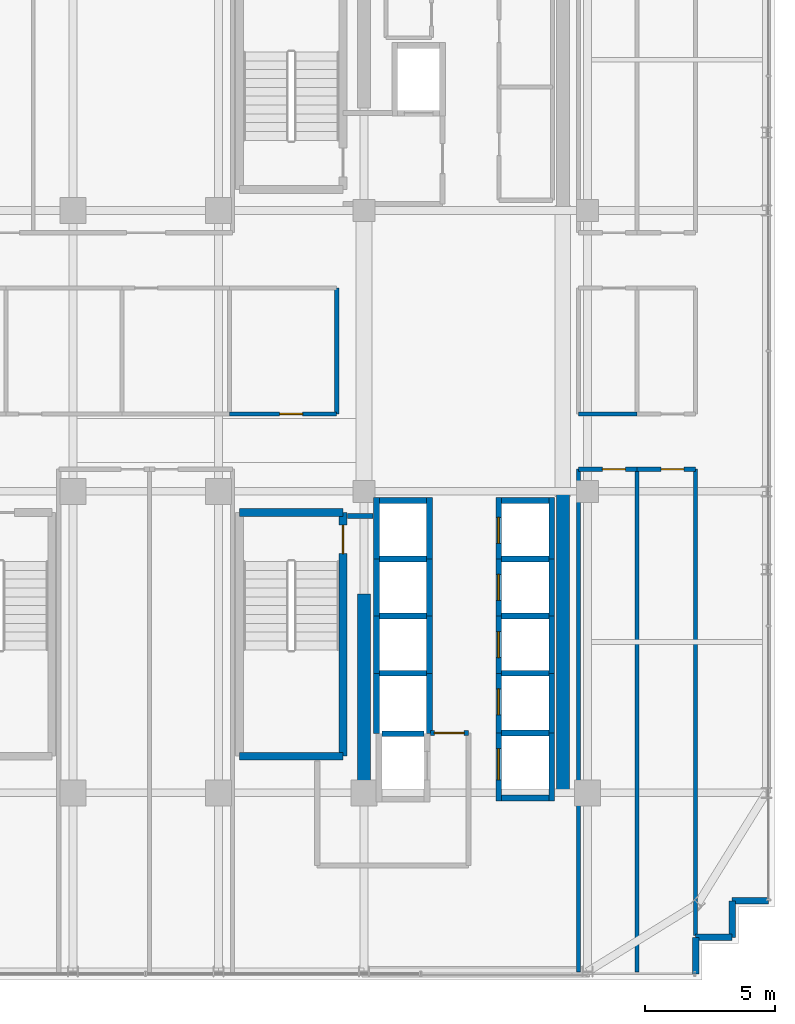
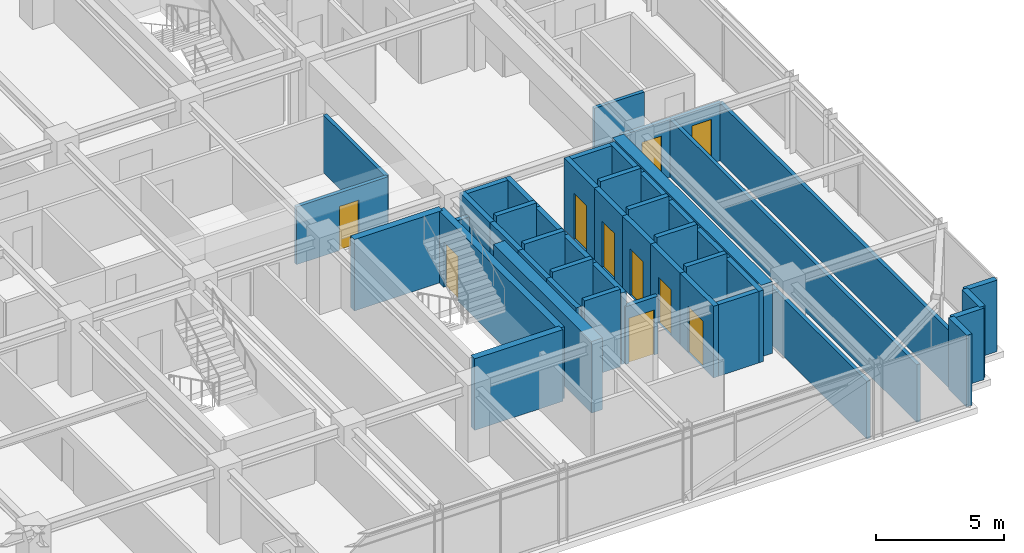
# One storey, part 30 of 36: 48 walls, 10 doors, 10 openings.
"""IFC4 building model written with IfcOpenShell, lengths in metres."""

from ifc_helpers import new_model, si_unit, direction, frame, frame_2d, origin, place, context, subcontext, project, spatial, rectangle, extrude, source, transform, mapped, material, layer, layer_set, type_object, element, fill, save


model = new_model("IFC4")

# Units and contexts
model_context = context("Model", 3, precision=1e-05, world=origin(), true_north=direction((0.0, 1.0)))
body_context = subcontext(model_context, "Body", "Model", "MODEL_VIEW")
ifc_project = project(units=[si_unit("LENGTHUNIT", "METRE"), si_unit("AREAUNIT", "SQUARE_METRE"), si_unit("VOLUMEUNIT", "CUBIC_METRE"), si_unit("PLANEANGLEUNIT", "RADIAN"), si_unit("MASSUNIT", "GRAM", prefix="KILO")], contexts=[model_context])

# Site, building, storey
site_placement = place(None, origin())
site = spatial("IfcSite", under=ifc_project, at=site_placement, CompositionType="ELEMENT")
building_placement = place(site_placement, origin())
building = spatial("IfcBuilding", under=site, at=building_placement, Name="Nahalor Promenade Grand Hotel", CompositionType="ELEMENT")
storey_placement = place(building_placement, frame((0.0, 0.0, 241.89990234375)))
storey = spatial("IfcBuildingStorey", under=building, at=storey_placement, Name="L62", CompositionType="ELEMENT", Elevation=241.89990234375)

# Walls
ifc_material_1 = material(Name="Concrete B-60 (C50/60)", Category="concrete")
ifc_layer_1 = layer(ifc_material_1, 0.5)
ifc_layer_set_1 = layer_set([ifc_layer_1], Name="Concrete B-60 (C50/60)")
wall_type_1 = type_object("IfcWallType", Name="Wall-CoreShear-500", PredefinedType="SHEAR", material=ifc_layer_set_1)
shared_shape_1 = source(origin(), body_context, "Body", "SweptSolid", [
    extrude(rectangle(XDim=7.64990234375, YDim=0.5, at=frame_2d((3.824951171875, 0.0))), origin(), (0.0, 0.0, 1.0), 3.41015625),
])
wall_1_placement = place(storey_placement, frame((8.39990234375, -17.0, 0.0), z_axis=(0.0, 0.0, 1.0), x_axis=(0.0, 1.0, 0.0)))
element("IfcWall", 1, at=wall_1_placement, inside=storey, type_object=wall_type_1, Name="CWALL-L62-SW", PredefinedType="SHEAR", context=body_context, shape_type="MappedRepresentation", body=[
    mapped(shared_shape_1, transform((0.0, 0.0, 0.0), scale=1.0)),
])
shared_shape_2 = source(origin(), body_context, "Body", "SweptSolid", [
    extrude(rectangle(XDim=11.60009765625, YDim=0.5, at=frame_2d((5.800048828125, 0.0))), origin(), (0.0, 0.0, 1.0), 3.41015625),
])
wall_2_placement = place(storey_placement, frame((16.050048828125, -17.0, 0.0), z_axis=(0.0, 0.0, 1.0), x_axis=(0.0, 1.0, 0.0)))
element("IfcWall", 2, at=wall_2_placement, inside=storey, type_object=wall_type_1, Name="CWALL-L62-SE", PredefinedType="SHEAR", context=body_context, shape_type="MappedRepresentation", body=[
    mapped(shared_shape_2, transform((0.0, 0.0, 0.0), scale=1.0)),
])
ifc_material_2 = material(Name="Concrete B-50 (C40/50)", Category="concrete")
ifc_layer_2 = layer(ifc_material_2, 0.300048828125)
ifc_layer_set_2 = layer_set([ifc_layer_2], Name="Concrete B-50 (C40/50)")
wall_type_2 = type_object("IfcWallType", Name="Wall-ShaftShear-300", PredefinedType="SHEAR", material=ifc_layer_set_2)
shared_shape_3 = source(origin(), body_context, "Body", "SweptSolid", [
    extrude(rectangle(XDim=3.97998046875, YDim=0.300048828125, at=frame_2d((1.989990234375, 0.0))), origin(), (0.0, 0.0, 1.0), 3.41015625),
])
for number, where, z_axis, x_axis, name in (
    (3, (3.610107421875, -15.590087890625, 0.0), (0.0, 0.0, 1.0), (1.0, 0.0, 0.0), "L62 Exit Stair ST2 Shaft Wall S"),
    (4, (3.610107421875, -6.2099609375, 0.0), (0.0, 0.0, 1.0), (1.0, 0.0, 0.0), "L62 Exit Stair ST2 Shaft Wall N"),
):
    element("IfcWall", number, at=place(storey_placement, frame(where, z_axis=z_axis, x_axis=x_axis)), inside=storey, type_object=wall_type_2, Name=name, PredefinedType="SHEAR", context=body_context, shape_type="MappedRepresentation", body=[
        mapped(shared_shape_3, transform((0.0, 0.0, 0.0), scale=1.0)),
    ])

# Wall, opening, door
shared_shape_4 = source(origin(), body_context, "Body", "SweptSolid", [
    extrude(rectangle(XDim=9.380126953125, YDim=0.300048828125, at=frame_2d((4.68994140625, 0.0))), origin(), (0.0, 0.0, 1.0), 3.41015625),
])
wall_3_placement = place(storey_placement, frame((7.590087890625, -15.590087890625, 0.0), z_axis=(0.0, 0.0, 1.0), x_axis=(0.0, 1.0, 0.0)))
wall_3 = element("IfcWall", 5, at=wall_3_placement, inside=storey, type_object=wall_type_2, Name="L62 Exit Stair ST2 Shaft Wall E", PredefinedType="SHEAR", context=body_context, shape_type="MappedRepresentation", body=[
    mapped(shared_shape_4, transform((0.0, 0.0, 0.0), scale=1.0)),
])
opening_1_placement = place(wall_3_placement, frame((7.7900390625, 0.0, 0.0)))
opening_1 = element("IfcOpeningElement", 6, at=opening_1_placement, cuts=wall_3, Name="Opening D-ST1", PredefinedType="OPENING", context=body_context, shape_type="SweptSolid", body=[
    extrude(rectangle(XDim=1.10009765625, YDim=2.14990234375, at=frame_2d((0.550048828125, 1.074951171875))), frame((0.0, 0.159912109375, 0.0), z_axis=(0.0, -1.0, 0.0), x_axis=(1.0, 0.0, 0.0)), (0.0, 0.0, 1.0), 0.320068359375),
])
ifc_material_3 = material(Name="Steel S355JR", Category="steel")
door_type_1 = type_object("IfcDoorType", Name="Door-StairFire-1100", OperationType="NOTDEFINED", PredefinedType="DOOR", material=ifc_material_3)
shared_shape_5 = source(origin(), body_context, "Body", "SweptSolid", [
    extrude(rectangle(XDim=1.10009765625, YDim=2.14990234375, at=frame_2d((0.550048828125, 1.074951171875))), frame((0.0, 0.02490234375, 0.0), z_axis=(0.0, -1.0, 0.0), x_axis=(1.0, 0.0, 0.0)), (0.0, 0.0, 1.0), 0.050048828125),
])
door_1_placement = place(opening_1_placement, origin())
door_1 = element("IfcDoor", 7, at=door_1_placement, inside=storey, type_object=door_type_1, Name="DR-STAIR-ST2-L62", OperationType="SINGLE_SWING_LEFT", OverallHeight=2.14990234375, OverallWidth=1.10009765625, PredefinedType="DOOR", context=body_context, shape_type="MappedRepresentation", body=[
    mapped(shared_shape_5, transform((0.0, 0.0, 0.0), scale=1.0)),
])
fill(opening_1, door_1)

ifc_layer_3 = layer(ifc_material_2, 0.219970703125)
ifc_layer_set_3 = layer_set([ifc_layer_3], Name="Concrete B-50 (C40/50)")
wall_type_3 = type_object("IfcWallType", Name="Wall-LiftShaft-220", PredefinedType="SHEAR", material=ifc_layer_set_3)
shared_shape_6 = source(origin(), body_context, "Body", "SweptSolid", [
    extrude(rectangle(XDim=2.360107421875, YDim=0.219970703125, at=frame_2d((1.18017578125, 0.0))), origin(), (0.0, 0.0, 1.0), 3.41015625),
])
wall_4_placement = place(storey_placement, frame((13.580078125, -8.0, 0.0), z_axis=(0.0, 0.0, 1.0), x_axis=(0.0, 1.0, 0.0)))
wall_4 = element("IfcWall", 8, at=wall_4_placement, inside=storey, type_object=wall_type_3, Name="L62 Lift PL5 Hoistway Wall W", PredefinedType="SHEAR", context=body_context, shape_type="MappedRepresentation", body=[
    mapped(shared_shape_6, transform((0.0, 0.0, 0.0), scale=1.0)),
])
opening_2_placement = place(wall_4_placement, frame((0.60009765625, 0.0, 0.0)))
opening_2 = element("IfcOpeningElement", 9, at=opening_2_placement, cuts=wall_4, Name="Opening LD-01", PredefinedType="OPENING", context=body_context, shape_type="SweptSolid", body=[
    extrude(rectangle(XDim=1.0, YDim=2.199951171875, at=frame_2d((0.5, 1.10009765625))), frame((0.0, 0.119873046875, 0.0), z_axis=(0.0, -1.0, 0.0), x_axis=(1.0, 0.0, 0.0)), (0.0, 0.0, 1.0), 0.239990234375),
])
door_type_2 = type_object("IfcDoorType", Name="Door-LiftLanding-1000", OperationType="DOUBLE_DOOR_SLIDING", PredefinedType="DOOR", material=ifc_material_3)
shared_shape_7 = source(origin(), body_context, "Body", "SweptSolid", [
    extrude(rectangle(XDim=1.0, YDim=2.199951171875, at=frame_2d((0.5, 1.10009765625))), frame((0.0, 0.02490234375, 0.0), z_axis=(0.0, -1.0, 0.0), x_axis=(1.0, 0.0, 0.0)), (0.0, 0.0, 1.0), 0.050048828125),
])
door_2_placement = place(opening_2_placement, origin())
door_2 = element("IfcDoor", 10, at=door_2_placement, inside=storey, type_object=door_type_2, Name="DR-LIFT-PL5-L62", OperationType="DOUBLE_DOOR_SLIDING", OverallHeight=2.199951171875, OverallWidth=1.0, PredefinedType="DOOR", context=body_context, shape_type="MappedRepresentation", body=[
    mapped(shared_shape_7, transform((0.0, 0.0, 0.0), scale=1.0)),
])
fill(opening_2, door_2)

# Walls
for number, where, z_axis, x_axis, name in (
    (11, (15.6201171875, -8.0, 0.0), (0.0, 0.0, 1.0), (0.0, 1.0, 0.0), "L62 Lift PL5 Hoistway Wall E"),
    (12, (8.8798828125, -8.0, 0.0), (0.0, 0.0, 1.0), (0.0, 1.0, 0.0), "L62 Lift PL9 Hoistway Wall W"),
    (13, (10.919921875, -8.0, 0.0), (0.0, 0.0, 1.0), (0.0, 1.0, 0.0), "L62 Lift PL9 Hoistway Wall E"),
):
    element("IfcWall", number, at=place(storey_placement, frame(where, z_axis=z_axis, x_axis=x_axis)), inside=storey, type_object=wall_type_3, Name=name, PredefinedType="SHEAR", context=body_context, shape_type="MappedRepresentation", body=[
        mapped(shared_shape_6, transform((0.0, 0.0, 0.0), scale=1.0)),
    ])
shared_shape_8 = source(origin(), body_context, "Body", "SweptSolid", [
    extrude(rectangle(XDim=1.820068359375, YDim=0.219970703125, at=frame_2d((0.91015625, 0.0))), origin(), (0.0, 0.0, 1.0), 3.41015625),
])
for number, where, z_axis, x_axis, name in (
    (14, (13.68994140625, -5.75, 0.0), (0.0, 0.0, 1.0), (1.0, 0.0, 0.0), "L62 Lift PL5 Hoistway Wall N"),
    (15, (8.989990234375, -5.75, 0.0), (0.0, 0.0, 1.0), (1.0, 0.0, 0.0), "L62 Lift PL9 Hoistway Wall N"),
    (16, (13.68994140625, -17.199951171875, 0.0), (0.0, 0.0, 1.0), (1.0, 0.0, 0.0), "L62 Lift SV2 Hoistway Wall S"),
):
    element("IfcWall", number, at=place(storey_placement, frame(where, z_axis=z_axis, x_axis=x_axis)), inside=storey, type_object=wall_type_3, Name=name, PredefinedType="SHEAR", context=body_context, shape_type="MappedRepresentation", body=[
        mapped(shared_shape_8, transform((0.0, 0.0, 0.0), scale=1.0)),
    ])

# Wall, opening, door
shared_shape_9 = source(origin(), body_context, "Body", "SweptSolid", [
    extrude(rectangle(XDim=2.199951171875, YDim=0.219970703125, at=frame_2d((1.10009765625, 0.0))), origin(), (0.0, 0.0, 1.0), 3.41015625),
])
wall_5_placement = place(storey_placement, frame((13.580078125, -10.199951171875, 0.0), z_axis=(0.0, 0.0, 1.0), x_axis=(0.0, 1.0, 0.0)))
wall_5 = element("IfcWall", 17, at=wall_5_placement, inside=storey, type_object=wall_type_3, Name="L62 Lift PL6 Hoistway Wall W", PredefinedType="SHEAR", context=body_context, shape_type="MappedRepresentation", body=[
    mapped(shared_shape_9, transform((0.0, 0.0, 0.0), scale=1.0)),
])
opening_3_placement = place(wall_5_placement, frame((0.60009765625, 0.0, 0.0)))
opening_3 = element("IfcOpeningElement", 18, at=opening_3_placement, cuts=wall_5, Name="Opening LD-01", PredefinedType="OPENING", context=body_context, shape_type="SweptSolid", body=[
    extrude(rectangle(XDim=1.0, YDim=2.199951171875, at=frame_2d((0.5, 1.10009765625))), frame((0.0, 0.119873046875, 0.0), z_axis=(0.0, -1.0, 0.0), x_axis=(1.0, 0.0, 0.0)), (0.0, 0.0, 1.0), 0.239990234375),
])
door_3_placement = place(opening_3_placement, origin())
door_3 = element("IfcDoor", 19, at=door_3_placement, inside=storey, type_object=door_type_2, Name="DR-LIFT-PL6-L62", OperationType="DOUBLE_DOOR_SLIDING", OverallHeight=2.199951171875, OverallWidth=1.0, PredefinedType="DOOR", context=body_context, shape_type="MappedRepresentation", body=[
    mapped(shared_shape_7, transform((0.0, 0.0, 0.0), scale=1.0)),
])
fill(opening_3, door_3)

# Wall
wall_6_placement = place(storey_placement, frame((15.6201171875, -10.199951171875, 0.0), z_axis=(0.0, 0.0, 1.0), x_axis=(0.0, 1.0, 0.0)))
element("IfcWall", 20, at=wall_6_placement, inside=storey, type_object=wall_type_3, Name="L62 Lift PL6 Hoistway Wall E", PredefinedType="SHEAR", context=body_context, shape_type="MappedRepresentation", body=[
    mapped(shared_shape_9, transform((0.0, 0.0, 0.0), scale=1.0)),
])

# Wall, opening, door
wall_7_placement = place(storey_placement, frame((13.580078125, -12.39990234375, 0.0), z_axis=(0.0, 0.0, 1.0), x_axis=(0.0, 1.0, 0.0)))
wall_7 = element("IfcWall", 21, at=wall_7_placement, inside=storey, type_object=wall_type_3, Name="L62 Lift PL7 Hoistway Wall W", PredefinedType="SHEAR", context=body_context, shape_type="MappedRepresentation", body=[
    mapped(shared_shape_9, transform((0.0, 0.0, 0.0), scale=1.0)),
])
opening_4_placement = place(wall_7_placement, frame((0.60009765625, 0.0, 0.0)))
opening_4 = element("IfcOpeningElement", 22, at=opening_4_placement, cuts=wall_7, Name="Opening LD-01", PredefinedType="OPENING", context=body_context, shape_type="SweptSolid", body=[
    extrude(rectangle(XDim=1.0, YDim=2.199951171875, at=frame_2d((0.5, 1.10009765625))), frame((0.0, 0.119873046875, 0.0), z_axis=(0.0, -1.0, 0.0), x_axis=(1.0, 0.0, 0.0)), (0.0, 0.0, 1.0), 0.239990234375),
])
door_4_placement = place(opening_4_placement, origin())
door_4 = element("IfcDoor", 23, at=door_4_placement, inside=storey, type_object=door_type_2, Name="DR-LIFT-PL7-L62", OperationType="DOUBLE_DOOR_SLIDING", OverallHeight=2.199951171875, OverallWidth=1.0, PredefinedType="DOOR", context=body_context, shape_type="MappedRepresentation", body=[
    mapped(shared_shape_7, transform((0.0, 0.0, 0.0), scale=1.0)),
])
fill(opening_4, door_4)

# Walls
for number, where, z_axis, x_axis, name in (
    (24, (15.6201171875, -12.39990234375, 0.0), (0.0, 0.0, 1.0), (0.0, 1.0, 0.0), "L62 Lift PL7 Hoistway Wall E"),
    (25, (8.8798828125, -10.199951171875, 0.0), (0.0, 0.0, 1.0), (0.0, 1.0, 0.0), "L62 Lift PL10 Hoistway Wall W"),
    (26, (10.919921875, -10.199951171875, 0.0), (0.0, 0.0, 1.0), (0.0, 1.0, 0.0), "L62 Lift PL10 Hoistway Wall E"),
    (27, (8.8798828125, -12.39990234375, 0.0), (0.0, 0.0, 1.0), (0.0, 1.0, 0.0), "L62 Lift PL11 Hoistway Wall W"),
    (28, (10.919921875, -12.39990234375, 0.0), (0.0, 0.0, 1.0), (0.0, 1.0, 0.0), "L62 Lift PL11 Hoistway Wall E"),
):
    element("IfcWall", number, at=place(storey_placement, frame(where, z_axis=z_axis, x_axis=x_axis)), inside=storey, type_object=wall_type_3, Name=name, PredefinedType="SHEAR", context=body_context, shape_type="MappedRepresentation", body=[
        mapped(shared_shape_9, transform((0.0, 0.0, 0.0), scale=1.0)),
    ])
shared_shape_10 = source(origin(), body_context, "Body", "SweptSolid", [
    extrude(rectangle(XDim=1.820068359375, YDim=0.219970703125, at=frame_2d((0.91015625, 0.0))), origin(), (0.0, 0.0, 1.0), 3.7001953125),
])
for number, where, z_axis, x_axis, name in (
    (29, (13.68994140625, -8.0, 0.0), (0.0, 0.0, 1.0), (1.0, 0.0, 0.0), "L62 Lift PL6 Hoistway Wall N"),
    (30, (13.68994140625, -10.199951171875, 0.0), (0.0, 0.0, 1.0), (1.0, 0.0, 0.0), "L62 Lift PL7 Hoistway Wall N"),
    (31, (13.68994140625, -12.39990234375, 0.0), (0.0, 0.0, 1.0), (1.0, 0.0, 0.0), "L62 Lift PL8 Hoistway Wall N"),
    (32, (8.989990234375, -8.0, 0.0), (0.0, 0.0, 1.0), (1.0, 0.0, 0.0), "L62 Lift PL10 Hoistway Wall N"),
    (33, (8.989990234375, -10.199951171875, 0.0), (0.0, 0.0, 1.0), (1.0, 0.0, 0.0), "L62 Lift PL11 Hoistway Wall N"),
    (34, (8.989990234375, -12.39990234375, 0.0), (0.0, 0.0, 1.0), (1.0, 0.0, 0.0), "L62 Lift PL12 Hoistway Wall N"),
    (35, (13.68994140625, -14.699951171875, 0.0), (0.0, 0.0, 1.0), (1.0, 0.0, 0.0), "L62 Lift SV2 Hoistway Wall N"),
):
    element("IfcWall", number, at=place(storey_placement, frame(where, z_axis=z_axis, x_axis=x_axis)), inside=storey, type_object=wall_type_3, Name=name, PredefinedType="SHEAR", context=body_context, shape_type="MappedRepresentation", body=[
        mapped(shared_shape_10, transform((0.0, 0.0, 0.0), scale=1.0)),
    ])

# Wall, opening, door
shared_shape_11 = source(origin(), body_context, "Body", "SweptSolid", [
    extrude(rectangle(XDim=2.300048828125, YDim=0.219970703125, at=frame_2d((1.14990234375, 0.0))), origin(), (0.0, 0.0, 1.0), 3.41015625),
])
wall_8_placement = place(storey_placement, frame((13.580078125, -14.699951171875, 0.0), z_axis=(0.0, 0.0, 1.0), x_axis=(0.0, 1.0, 0.0)))
wall_8 = element("IfcWall", 36, at=wall_8_placement, inside=storey, type_object=wall_type_3, Name="L62 Lift PL8 Hoistway Wall W", PredefinedType="SHEAR", context=body_context, shape_type="MappedRepresentation", body=[
    mapped(shared_shape_11, transform((0.0, 0.0, 0.0), scale=1.0)),
])
opening_5_placement = place(wall_8_placement, frame((0.699951171875, 0.0, 0.0)))
opening_5 = element("IfcOpeningElement", 37, at=opening_5_placement, cuts=wall_8, Name="Opening LD-01", PredefinedType="OPENING", context=body_context, shape_type="SweptSolid", body=[
    extrude(rectangle(XDim=1.0, YDim=2.199951171875, at=frame_2d((0.5, 1.10009765625))), frame((0.0, 0.119873046875, 0.0), z_axis=(0.0, -1.0, 0.0), x_axis=(1.0, 0.0, 0.0)), (0.0, 0.0, 1.0), 0.239990234375),
])
door_5_placement = place(opening_5_placement, origin())
door_5 = element("IfcDoor", 38, at=door_5_placement, inside=storey, type_object=door_type_2, Name="DR-LIFT-PL8-L62", OperationType="DOUBLE_DOOR_SLIDING", OverallHeight=2.199951171875, OverallWidth=1.0, PredefinedType="DOOR", context=body_context, shape_type="MappedRepresentation", body=[
    mapped(shared_shape_7, transform((0.0, 0.0, 0.0), scale=1.0)),
])
fill(opening_5, door_5)

# Walls
wall_9_placement = place(storey_placement, frame((15.6201171875, -14.699951171875, 0.0), z_axis=(0.0, 0.0, 1.0), x_axis=(0.0, 1.0, 0.0)))
element("IfcWall", 39, at=wall_9_placement, inside=storey, type_object=wall_type_3, Name="L62 Lift PL8 Hoistway Wall E", PredefinedType="SHEAR", context=body_context, shape_type="MappedRepresentation", body=[
    mapped(shared_shape_11, transform((0.0, 0.0, 0.0), scale=1.0)),
])
shared_shape_12 = source(origin(), body_context, "Body", "SweptSolid", [
    extrude(rectangle(XDim=2.3251953125, YDim=0.219970703125, at=frame_2d((1.16259765625, 0.0))), origin(), (0.0, 0.0, 1.0), 3.41015625),
])
for number, where, z_axis, x_axis, name in (
    (40, (8.8798828125, -14.72509765625, 0.0), (0.0, 0.0, 1.0), (0.0, 1.0, 0.0), "L62 Lift PL12 Hoistway Wall W"),
    (41, (10.919921875, -14.72509765625, 0.0), (0.0, 0.0, 1.0), (0.0, 1.0, 0.0), "L62 Lift PL12 Hoistway Wall E"),
):
    element("IfcWall", number, at=place(storey_placement, frame(where, z_axis=z_axis, x_axis=x_axis)), inside=storey, type_object=wall_type_3, Name=name, PredefinedType="SHEAR", context=body_context, shape_type="MappedRepresentation", body=[
        mapped(shared_shape_12, transform((0.0, 0.0, 0.0), scale=1.0)),
    ])
shared_shape_13 = source(origin(), body_context, "Body", "SweptSolid", [
    extrude(rectangle(XDim=1.619873046875, YDim=0.219970703125, at=frame_2d((0.81005859375, 0.0))), origin(), (0.0, 0.0, 1.0), 3.7001953125),
])
wall_10_placement = place(storey_placement, frame((9.090087890625, -14.72509765625, 0.0), z_axis=(0.0, 0.0, 1.0), x_axis=(1.0, 0.0, 0.0)))
element("IfcWall", 42, at=wall_10_placement, inside=storey, type_object=wall_type_3, Name="L62 Lift FL2 Hoistway Wall N", PredefinedType="SHEAR", context=body_context, shape_type="MappedRepresentation", body=[
    mapped(shared_shape_13, transform((0.0, 0.0, 0.0), scale=1.0)),
])

# Wall, opening, door
shared_shape_14 = source(origin(), body_context, "Body", "SweptSolid", [
    extrude(rectangle(XDim=2.610107421875, YDim=0.219970703125, at=frame_2d((1.30517578125, 0.0))), origin(), (0.0, 0.0, 1.0), 3.41015625),
])
wall_11_placement = place(storey_placement, frame((13.580078125, -17.31005859375, 0.0), z_axis=(0.0, 0.0, 1.0), x_axis=(0.0, 1.0, 0.0)))
wall_11 = element("IfcWall", 43, at=wall_11_placement, inside=storey, type_object=wall_type_3, Name="L62 Lift SV2 Hoistway Wall W", PredefinedType="SHEAR", context=body_context, shape_type="MappedRepresentation", body=[
    mapped(shared_shape_14, transform((0.0, 0.0, 0.0), scale=1.0)),
])
opening_6_placement = place(wall_11_placement, frame((0.81005859375, 0.0, 0.0)))
opening_6 = element("IfcOpeningElement", 44, at=opening_6_placement, cuts=wall_11, Name="Opening LD-03", PredefinedType="OPENING", context=body_context, shape_type="SweptSolid", body=[
    extrude(rectangle(XDim=1.199951171875, YDim=2.199951171875, at=frame_2d((0.60009765625, 1.10009765625))), frame((0.0, 0.119873046875, 0.0), z_axis=(0.0, -1.0, 0.0), x_axis=(1.0, 0.0, 0.0)), (0.0, 0.0, 1.0), 0.239990234375),
])
door_type_3 = type_object("IfcDoorType", Name="Door-LiftService-1200", OperationType="DOUBLE_DOOR_SLIDING", PredefinedType="DOOR", material=ifc_material_3)
shared_shape_15 = source(origin(), body_context, "Body", "SweptSolid", [
    extrude(rectangle(XDim=1.199951171875, YDim=2.199951171875, at=frame_2d((0.60009765625, 1.10009765625))), frame((0.0, 0.02490234375, 0.0), z_axis=(0.0, -1.0, 0.0), x_axis=(1.0, 0.0, 0.0)), (0.0, 0.0, 1.0), 0.050048828125),
])
door_6_placement = place(opening_6_placement, origin())
door_6 = element("IfcDoor", 45, at=door_6_placement, inside=storey, type_object=door_type_3, Name="DR-LIFT-SV2-L62", OperationType="DOUBLE_DOOR_SLIDING", OverallHeight=2.199951171875, OverallWidth=1.199951171875, PredefinedType="DOOR", context=body_context, shape_type="MappedRepresentation", body=[
    mapped(shared_shape_15, transform((0.0, 0.0, 0.0), scale=1.0)),
])
fill(opening_6, door_6)

# Walls
wall_12_placement = place(storey_placement, frame((15.6201171875, -17.31005859375, 0.0), z_axis=(0.0, 0.0, 1.0), x_axis=(0.0, 1.0, 0.0)))
element("IfcWall", 46, at=wall_12_placement, inside=storey, type_object=wall_type_3, Name="L62 Lift SV2 Hoistway Wall E", PredefinedType="SHEAR", context=body_context, shape_type="MappedRepresentation", body=[
    mapped(shared_shape_14, transform((0.0, 0.0, 0.0), scale=1.0)),
])
ifc_material_4 = material(Name="Concrete B-40 (C32/40)", Category="concrete")
ifc_layer_4 = layer(ifc_material_4, 0.25)
ifc_layer_set_4 = layer_set([ifc_layer_4], Name="Concrete B-40 (C32/40)")
wall_type_4 = type_object("IfcWallType", Name="Wall-BronzePier-250", PredefinedType="STANDARD", material=ifc_layer_set_4)
shared_shape_16 = source(origin(), body_context, "Body", "SweptSolid", [
    extrude(rectangle(XDim=1.39990234375, YDim=0.25, at=frame_2d((0.699951171875, 0.0))), origin(), (0.0, 0.0, 1.0), 3.41015625),
])
for number, where, z_axis, x_axis, name in (
    (47, (21.159912109375, -23.9599609375, 0.0), (0.0, 0.0, 1.0), (0.0, 1.0, 0.0), "W-L62-SR-01"),
    (48, (22.56005859375, -21.159912109375, 0.0), (0.0, 0.0, 1.0), (1.0, 0.0, 0.0), "W-L62-SR-04"),
):
    element("IfcWall", number, at=place(storey_placement, frame(where, z_axis=z_axis, x_axis=x_axis)), inside=storey, type_object=wall_type_4, Name=name, PredefinedType="STANDARD", context=body_context, shape_type="MappedRepresentation", body=[
        mapped(shared_shape_16, transform((0.0, 0.0, 0.0), scale=1.0)),
    ])
shared_shape_17 = source(origin(), body_context, "Body", "SweptSolid", [
    extrude(rectangle(XDim=1.400146484375, YDim=0.25, at=frame_2d((0.7001953125, 0.0))), origin(), (0.0, 0.0, 1.0), 3.41015625),
])
for number, where, z_axis, x_axis, name in (
    (49, (21.159912109375, -22.56005859375, 0.0), (0.0, 0.0, 1.0), (1.0, 0.0, 0.0), "W-L62-SR-02"),
    (50, (22.56005859375, -22.56005859375, 0.0), (0.0, 0.0, 1.0), (0.0, 1.0, 0.0), "W-L62-SR-03"),
):
    element("IfcWall", number, at=place(storey_placement, frame(where, z_axis=z_axis, x_axis=x_axis)), inside=storey, type_object=wall_type_4, Name=name, PredefinedType="STANDARD", context=body_context, shape_type="MappedRepresentation", body=[
        mapped(shared_shape_17, transform((0.0, 0.0, 0.0), scale=1.0)),
    ])

# Wall, opening, door
ifc_layer_5 = layer(ifc_material_4, 0.199951171875)
ifc_layer_set_5 = layer_set([ifc_layer_5], Name="Concrete B-40 (C32/40)")
wall_type_5 = type_object("IfcWallType", Name="Wall-PartFire-200", PredefinedType="PARTITIONING", material=ifc_layer_set_5)
shared_shape_18 = source(origin(), body_context, "Body", "SweptSolid", [
    extrude(rectangle(XDim=1.4599609375, YDim=0.199951171875, at=frame_2d((0.72998046875, 0.0))), origin(), (0.0, 0.0, 1.0), 2.75),
])
wall_13_placement = place(storey_placement, frame((10.9599609375, -14.699951171875, 0.0), z_axis=(0.0, 0.0, 1.0), x_axis=(1.0, 0.0, 0.0)))
wall_13 = element("IfcWall", 51, at=wall_13_placement, inside=storey, type_object=wall_type_5, Name="W-L62-FF2-N1", PredefinedType="PARTITIONING", context=body_context, shape_type="MappedRepresentation", body=[
    mapped(shared_shape_18, transform((0.0, 0.0, 0.0), scale=1.0)),
])
opening_7_placement = place(wall_13_placement, frame((0.14501953125, 0.0, 0.0)))
opening_7 = element("IfcOpeningElement", 52, at=opening_7_placement, cuts=wall_13, Name="Opening D-FF1", PredefinedType="OPENING", context=body_context, shape_type="SweptSolid", body=[
    extrude(rectangle(XDim=1.14990234375, YDim=2.14990234375, at=frame_2d((0.574951171875, 1.074951171875))), frame((0.0, 0.10986328125, 0.0), z_axis=(0.0, -1.0, 0.0), x_axis=(1.0, 0.0, 0.0)), (0.0, 0.0, 1.0), 0.219970703125),
])
door_type_4 = type_object("IfcDoorType", Name="Door-FFLobby-1150", OperationType="NOTDEFINED", PredefinedType="DOOR", material=ifc_material_3)
shared_shape_19 = source(origin(), body_context, "Body", "SweptSolid", [
    extrude(rectangle(XDim=1.14990234375, YDim=2.14990234375, at=frame_2d((0.574951171875, 1.074951171875))), frame((0.0, 0.02490234375, 0.0), z_axis=(0.0, -1.0, 0.0), x_axis=(1.0, 0.0, 0.0)), (0.0, 0.0, 1.0), 0.050048828125),
])
door_7_placement = place(opening_7_placement, origin())
door_7 = element("IfcDoor", 53, at=door_7_placement, inside=storey, type_object=door_type_4, Name="DR-L62-FFL2", OperationType="SINGLE_SWING_RIGHT", OverallHeight=2.14990234375, OverallWidth=1.14990234375, PredefinedType="DOOR", context=body_context, shape_type="MappedRepresentation", body=[
    mapped(shared_shape_19, transform((0.0, 0.0, 0.0), scale=1.0)),
])
fill(opening_7, door_7)

# Wall
shared_shape_20 = source(origin(), body_context, "Body", "SweptSolid", [
    extrude(rectangle(XDim=0.969970703125, YDim=0.199951171875, at=frame_2d((0.48486328125, 0.0))), origin(), (0.0, 0.0, 1.0), 2.75),
])
wall_14_placement = place(storey_placement, frame((7.77001953125, -6.35009765625, 0.0), z_axis=(0.0, 0.0, 1.0), x_axis=(1.0, 0.0, 0.0)))
element("IfcWall", 54, at=wall_14_placement, inside=storey, type_object=wall_type_5, Name="W-L62-FF2-N2", PredefinedType="PARTITIONING", context=body_context, shape_type="MappedRepresentation", body=[
    mapped(shared_shape_20, transform((0.0, 0.0, 0.0), scale=1.0)),
])

# Wall, opening, door
ifc_material_5 = material(Name="Acoustic Mineral Gypsum", Category="gypsum")
ifc_layer_6 = layer(ifc_material_5, 0.159912109375)
ifc_layer_set_6 = layer_set([ifc_layer_6], Name="Acoustic Mineral Gypsum")
wall_type_6 = type_object("IfcWallType", Name="Wall-PartCorridor-160", PredefinedType="PARTITIONING", material=ifc_layer_set_6)
shared_shape_21 = source(origin(), body_context, "Body", "SweptSolid", [
    extrude(rectangle(XDim=2.255126953125, YDim=0.159912109375, at=frame_2d((1.12744140625, 0.0))), origin(), (0.0, 0.0, 1.0), 2.75),
])
wall_15_placement = place(storey_placement, frame((16.64990234375, -4.550048828125, 0.0), z_axis=(0.0, 0.0, 1.0), x_axis=(1.0, 0.0, 0.0)))
wall_15 = element("IfcWall", 55, at=wall_15_placement, inside=storey, type_object=wall_type_6, Name="W-L62-ESE1-N", PredefinedType="PARTITIONING", context=body_context, shape_type="MappedRepresentation", body=[
    mapped(shared_shape_21, transform((0.0, 0.0, 0.0), scale=1.0)),
])
opening_8_placement = place(wall_15_placement, frame((0.924072265625, 0.0, 0.0)))
opening_8 = element("IfcOpeningElement", 56, at=opening_8_placement, cuts=wall_15, Name="Opening D-03", PredefinedType="OPENING", context=body_context, shape_type="SweptSolid", body=[
    extrude(rectangle(XDim=0.8798828125, YDim=2.10009765625, at=frame_2d((0.43994140625, 1.050048828125))), frame((0.0, 0.08984375, 0.0), z_axis=(0.0, -1.0, 0.0), x_axis=(1.0, 0.0, 0.0)), (0.0, 0.0, 1.0), 0.179931640625),
])
ifc_material_6 = material(Name="Fire-Rated Timber Composite", Category="wood")
door_type_5 = type_object("IfcDoorType", Name="Door-BathSwing-880", OperationType="NOTDEFINED", PredefinedType="DOOR", material=ifc_material_6)
shared_shape_22 = source(origin(), body_context, "Body", "SweptSolid", [
    extrude(rectangle(XDim=0.8798828125, YDim=2.10009765625, at=frame_2d((0.43994140625, 1.050048828125))), frame((0.0, 0.02490234375, 0.0), z_axis=(0.0, -1.0, 0.0), x_axis=(1.0, 0.0, 0.0)), (0.0, 0.0, 1.0), 0.050048828125),
])
door_8_placement = place(opening_8_placement, frame((0.8798828125, 0.0, 0.0), z_axis=(0.0, 0.0, 1.0), x_axis=(-1.0, 0.0, 0.0)))
door_8 = element("IfcDoor", 57, at=door_8_placement, inside=storey, type_object=door_type_5, Name="DR-L62-ESE1", OperationType="SINGLE_SWING_LEFT", OverallHeight=2.10009765625, OverallWidth=0.8798828125, PredefinedType="DOOR", context=body_context, shape_type="MappedRepresentation", body=[
    mapped(shared_shape_22, transform((0.0, 0.0, 0.0), scale=1.0)),
])
fill(opening_8, door_8)

# Walls
wall_16_placement = place(storey_placement, frame((16.64990234375, -2.419921875, 0.0), z_axis=(0.0, 0.0, 1.0), x_axis=(1.0, 0.0, 0.0)))
element("IfcWall", 58, at=wall_16_placement, inside=storey, type_object=wall_type_6, Name="W-L62-ECW1-S", PredefinedType="PARTITIONING", context=body_context, shape_type="MappedRepresentation", body=[
    mapped(shared_shape_21, transform((0.0, 0.0, 0.0), scale=1.0)),
])
shared_shape_23 = source(origin(), body_context, "Body", "SweptSolid", [
    extrude(rectangle(XDim=19.349853515625, YDim=0.159912109375, at=frame_2d((9.6748046875, 0.0))), origin(), (0.0, 0.0, 1.0), 2.75),
])
for number, where, z_axis, x_axis, name in (
    (59, (16.64990234375, -23.89990234375, 0.0), (0.0, 0.0, 1.0), (0.0, 1.0, 0.0), "W-L62-ESE1-W"),
    (60, (18.905029296875, -23.89990234375, 0.0), (0.0, 0.0, 1.0), (0.0, 1.0, 0.0), "W-L62-ESE1-E"),
):
    element("IfcWall", number, at=place(storey_placement, frame(where, z_axis=z_axis, x_axis=x_axis)), inside=storey, type_object=wall_type_6, Name=name, PredefinedType="PARTITIONING", context=body_context, shape_type="MappedRepresentation", body=[
        mapped(shared_shape_23, transform((0.0, 0.0, 0.0), scale=1.0)),
    ])

# Wall, opening, door
shared_shape_24 = source(origin(), body_context, "Body", "SweptSolid", [
    extrude(rectangle(XDim=2.2548828125, YDim=0.159912109375, at=frame_2d((1.12744140625, 0.0))), origin(), (0.0, 0.0, 1.0), 2.75),
])
wall_17_placement = place(storey_placement, frame((18.905029296875, -4.550048828125, 0.0), z_axis=(0.0, 0.0, 1.0), x_axis=(1.0, 0.0, 0.0)))
wall_17 = element("IfcWall", 61, at=wall_17_placement, inside=storey, type_object=wall_type_6, Name="W-L62-ESE2-N", PredefinedType="PARTITIONING", context=body_context, shape_type="MappedRepresentation", body=[
    mapped(shared_shape_24, transform((0.0, 0.0, 0.0), scale=1.0)),
])
opening_9_placement = place(wall_17_placement, frame((0.924072265625, 0.0, 0.0)))
opening_9 = element("IfcOpeningElement", 62, at=opening_9_placement, cuts=wall_17, Name="Opening D-03", PredefinedType="OPENING", context=body_context, shape_type="SweptSolid", body=[
    extrude(rectangle(XDim=0.8798828125, YDim=2.10009765625, at=frame_2d((0.43994140625, 1.050048828125))), frame((0.0, 0.08984375, 0.0), z_axis=(0.0, -1.0, 0.0), x_axis=(1.0, 0.0, 0.0)), (0.0, 0.0, 1.0), 0.179931640625),
])
door_9_placement = place(opening_9_placement, frame((0.8798828125, 0.0, 0.0), z_axis=(0.0, 0.0, 1.0), x_axis=(-1.0, 0.0, 0.0)))
door_9 = element("IfcDoor", 63, at=door_9_placement, inside=storey, type_object=door_type_5, Name="DR-L62-ESE2", OperationType="SINGLE_SWING_RIGHT", OverallHeight=2.10009765625, OverallWidth=0.8798828125, PredefinedType="DOOR", context=body_context, shape_type="MappedRepresentation", body=[
    mapped(shared_shape_22, transform((0.0, 0.0, 0.0), scale=1.0)),
])
fill(opening_9, door_9)

# Walls
shared_shape_25 = source(origin(), body_context, "Body", "SweptSolid", [
    extrude(rectangle(XDim=17.929931640625, YDim=0.159912109375, at=frame_2d((8.96484375, 0.0))), origin(), (0.0, 0.0, 1.0), 2.75),
])
wall_18_placement = place(storey_placement, frame((21.159912109375, -22.47998046875, 0.0), z_axis=(0.0, 0.0, 1.0), x_axis=(0.0, 1.0, 0.0)))
element("IfcWall", 64, at=wall_18_placement, inside=storey, type_object=wall_type_6, Name="W-L62-ESE2-E", PredefinedType="PARTITIONING", context=body_context, shape_type="MappedRepresentation", body=[
    mapped(shared_shape_25, transform((0.0, 0.0, 0.0), scale=1.0)),
])
shared_shape_26 = source(origin(), body_context, "Body", "SweptSolid", [
    extrude(rectangle(XDim=4.83984375, YDim=0.159912109375, at=frame_2d((2.419921875, 0.0))), origin(), (0.0, 0.0, 1.0), 2.75),
])
wall_19_placement = place(storey_placement, frame((7.35009765625, -2.419921875, 0.0), z_axis=(0.0, 0.0, 1.0), x_axis=(0.0, 1.0, 0.0)))
element("IfcWall", 65, at=wall_19_placement, inside=storey, type_object=wall_type_6, Name="W-L62-CM4-E", PredefinedType="PARTITIONING", context=body_context, shape_type="MappedRepresentation", body=[
    mapped(shared_shape_26, transform((0.0, 0.0, 0.0), scale=1.0)),
])

# Wall, opening, door
shared_shape_27 = source(origin(), body_context, "Body", "SweptSolid", [
    extrude(rectangle(XDim=4.128173828125, YDim=0.159912109375, at=frame_2d((2.06396484375, 0.0))), origin(), (0.0, 0.0, 1.0), 2.75),
])
wall_20_placement = place(storey_placement, frame((3.221923828125, -2.419921875, 0.0), z_axis=(0.0, 0.0, 1.0), x_axis=(1.0, 0.0, 0.0)))
wall_20 = element("IfcWall", 66, at=wall_20_placement, inside=storey, type_object=wall_type_6, Name="W-L62-CM4-S", PredefinedType="PARTITIONING", context=body_context, shape_type="MappedRepresentation", body=[
    mapped(shared_shape_27, transform((0.0, 0.0, 0.0), scale=1.0)),
])
opening_10_placement = place(wall_20_placement, frame((1.93310546875, 0.0, 0.0)))
opening_10 = element("IfcOpeningElement", 67, at=opening_10_placement, cuts=wall_20, Name="Opening D-03", PredefinedType="OPENING", context=body_context, shape_type="SweptSolid", body=[
    extrude(rectangle(XDim=0.8798828125, YDim=2.10009765625, at=frame_2d((0.43994140625, 1.050048828125))), frame((0.0, 0.08984375, 0.0), z_axis=(0.0, -1.0, 0.0), x_axis=(1.0, 0.0, 0.0)), (0.0, 0.0, 1.0), 0.179931640625),
])
door_10_placement = place(opening_10_placement, origin())
door_10 = element("IfcDoor", 68, at=door_10_placement, inside=storey, type_object=door_type_5, Name="DR-L62-CM4", OperationType="SINGLE_SWING_RIGHT", OverallHeight=2.10009765625, OverallWidth=0.8798828125, PredefinedType="DOOR", context=body_context, shape_type="MappedRepresentation", body=[
    mapped(shared_shape_22, transform((0.0, 0.0, 0.0), scale=1.0)),
])
fill(opening_10, door_10)

save(model, "model.ifc")
